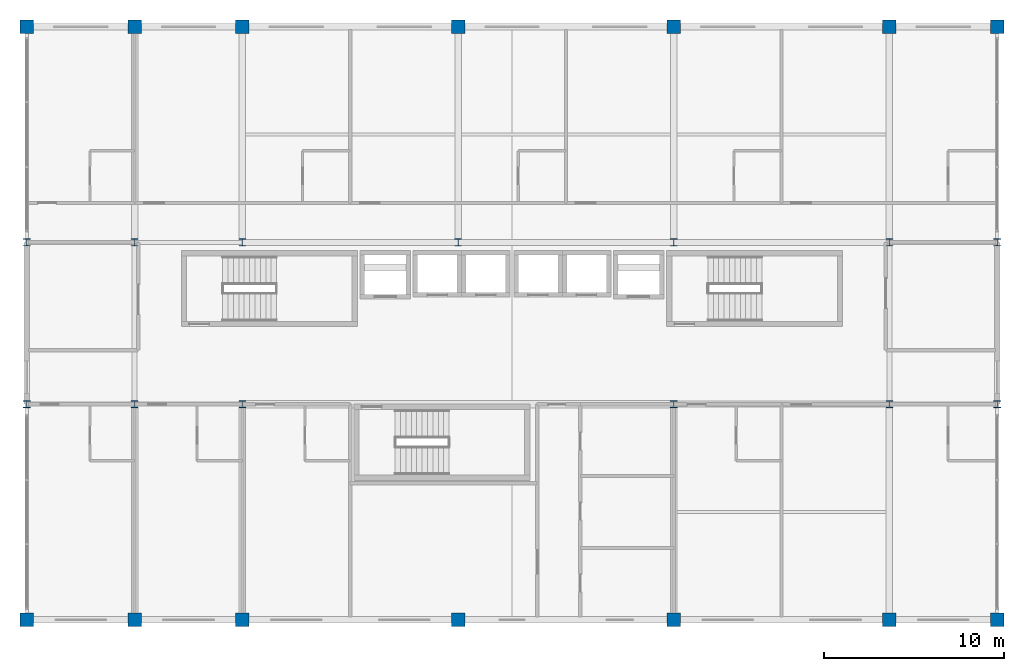
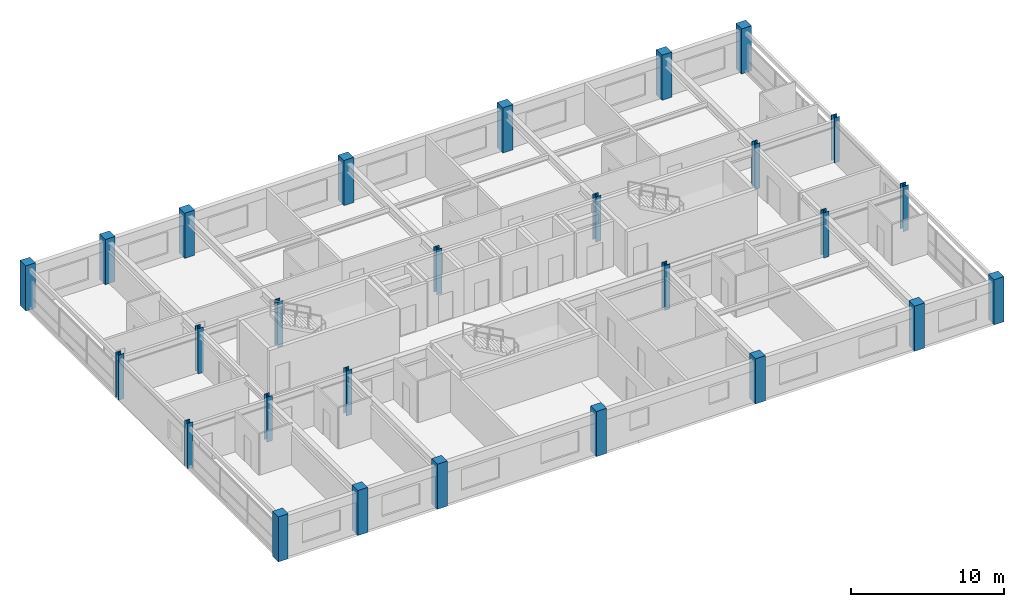
# One storey, part 1 of 20: 27 columns.
"""IFC4 building model written with IfcOpenShell, lengths in metres."""

from ifc_helpers import new_model, si_unit, direction, frame, origin, origin_2d, place, context, subcontext, project, spatial, rectangle, i_section, extrude, material, material_profile, profile_set, type_object, element, save


model = new_model("IFC4")

# Units and contexts
model_context = context("Model", 3, precision=1e-05, world=origin(), true_north=direction((0.0, 1.0)))
body_context = subcontext(model_context, "Body", "Model", "MODEL_VIEW")
ifc_project = project(units=[si_unit("LENGTHUNIT", "METRE"), si_unit("AREAUNIT", "SQUARE_METRE"), si_unit("VOLUMEUNIT", "CUBIC_METRE"), si_unit("PLANEANGLEUNIT", "RADIAN"), si_unit("MASSUNIT", "GRAM", prefix="KILO")], contexts=[model_context])

# Site, building, storey
site_placement = place(None, origin())
site = spatial("IfcSite", under=ifc_project, at=site_placement, CompositionType="ELEMENT")
building_placement = place(site_placement, origin())
building = spatial("IfcBuilding", under=site, at=building_placement, Name="Kaldorvane Square Convention Centre", CompositionType="ELEMENT")
storey_placement = place(building_placement, frame((0.0, 0.0, 52.80000305175781)))
storey = spatial("IfcBuildingStorey", under=building, at=storey_placement, Name="L12", CompositionType="ELEMENT", Elevation=52.80000305175781)

# Columns
ifc_material_1 = material(Name="Concrete f'c = 42 MPa (Normalweight)", Category="concrete")
ifc_material_profile_1 = material_profile(ifc_material_1, rectangle(XDim=0.75, YDim=0.75, at=origin_2d()), Name="RC750X750")
ifc_profile_set_1 = profile_set([ifc_material_profile_1], Name="Concrete f'c = 42 MPa (Normalweight)")
column_type_1 = type_object("IfcColumnType", Name="COL-RC-750", PredefinedType="COLUMN", material=ifc_profile_set_1)
for number, where, z_axis, x_axis, name in (
    (1, (30.0, 84.0, 0.0), (0.0, 0.0, 1.0), (1.0, 0.0, 0.0), "Column CC-05 (L12)"),
    (2, (30.0, 117.0, 0.0), (0.0, 0.0, 1.0), (1.0, 0.0, 0.0), "Column CC-05 (L12)"),
    (3, (36.0, 84.0, 0.0), (0.0, 0.0, 1.0), (1.0, 0.0, 0.0), "Column CC-05 (L12)"),
    (4, (36.0, 117.0, 0.0), (0.0, 0.0, 1.0), (1.0, 0.0, 0.0), "Column CC-05 (L12)"),
    (5, (42.0, 84.0, 0.0), (0.0, 0.0, 1.0), (1.0, 0.0, 0.0), "Column CC-05 (L12)"),
    (6, (42.0, 117.0, 0.0), (0.0, 0.0, 1.0), (1.0, 0.0, 0.0), "Column CC-05 (L12)"),
    (7, (54.0, 84.0, 0.0), (0.0, 0.0, 1.0), (1.0, 0.0, 0.0), "Column CC-05 (L12)"),
    (8, (54.0, 117.0, 0.0), (0.0, 0.0, 1.0), (1.0, 0.0, 0.0), "Column CC-05 (L12)"),
    (9, (66.0, 84.0, 0.0), (0.0, 0.0, 1.0), (1.0, 0.0, 0.0), "Column CC-05 (L12)"),
    (10, (66.0, 117.0, 0.0), (0.0, 0.0, 1.0), (1.0, 0.0, 0.0), "Column CC-05 (L12)"),
    (11, (78.0, 84.0, 0.0), (0.0, 0.0, 1.0), (1.0, 0.0, 0.0), "Column CC-05 (L12)"),
    (12, (78.0, 117.0, 0.0), (0.0, 0.0, 1.0), (1.0, 0.0, 0.0), "Column CC-05 (L12)"),
    (13, (84.0, 84.0, 0.0), (0.0, 0.0, 1.0), (1.0, 0.0, 0.0), "Column CC-05 (L12)"),
    (14, (84.0, 117.0, 0.0), (0.0, 0.0, 1.0), (1.0, 0.0, 0.0), "Column CC-05 (L12)"),
):
    element("IfcColumn", number, at=place(storey_placement, frame(where, z_axis=z_axis, x_axis=x_axis)), inside=storey, type_object=column_type_1, Name=name, PredefinedType="COLUMN", context=body_context, shape_type="SweptSolid", body=[
        extrude(rectangle(XDim=0.75, YDim=0.75, at=origin_2d()), origin(), (0.0, 0.0, 1.0), 3.5999908447265625),
    ])
ifc_material_2 = material(Name="Steel ASTM A992 Gr. 50", Category="steel")
ifc_material_profile_2 = material_profile(ifc_material_2, i_section(OverallWidth=0.4062957763671875, OverallDepth=0.416107177734375, WebThickness=0.0298004150390625, FlangeThickness=0.048004150390625, FilletRadius=0.0305023193359375, at=origin_2d()), Name="W14X257")
ifc_profile_set_2 = profile_set([ifc_material_profile_2], Name="Steel ASTM A992 Gr. 50")
column_type_2 = type_object("IfcColumnType", Name="COL-STL-257", PredefinedType="COLUMN", material=ifc_profile_set_2)
for number, where, z_axis, x_axis, name in (
    (15, (30.0, 96.0, 0.0), (0.0, 0.0, 1.0), (1.0, 0.0, 0.0), "Column SC-07 (L12)"),
    (16, (30.0, 105.0, 0.0), (0.0, 0.0, 1.0), (1.0, 0.0, 0.0), "Column SC-07 (L12)"),
    (17, (36.0, 96.0, 0.0), (0.0, 0.0, 1.0), (1.0, 0.0, 0.0), "Column SC-07 (L12)"),
    (18, (36.0, 105.0, 0.0), (0.0, 0.0, 1.0), (1.0, 0.0, 0.0), "Column SC-07 (L12)"),
    (19, (42.0, 96.0, 0.0), (0.0, 0.0, 1.0), (1.0, 0.0, 0.0), "Column SC-07 (L12)"),
    (20, (42.0, 105.0, 0.0), (0.0, 0.0, 1.0), (1.0, 0.0, 0.0), "Column SC-07 (L12)"),
    (21, (54.0, 105.0, 0.0), (0.0, 0.0, 1.0), (1.0, 0.0, 0.0), "Column SC-07 (L12)"),
    (22, (66.0, 96.0, 0.0), (0.0, 0.0, 1.0), (1.0, 0.0, 0.0), "Column SC-07 (L12)"),
    (23, (66.0, 105.0, 0.0), (0.0, 0.0, 1.0), (1.0, 0.0, 0.0), "Column SC-07 (L12)"),
    (24, (78.0, 96.0, 0.0), (0.0, 0.0, 1.0), (1.0, 0.0, 0.0), "Column SC-07 (L12)"),
    (25, (78.0, 105.0, 0.0), (0.0, 0.0, 1.0), (1.0, 0.0, 0.0), "Column SC-07 (L12)"),
    (26, (84.0, 96.0, 0.0), (0.0, 0.0, 1.0), (1.0, 0.0, 0.0), "Column SC-07 (L12)"),
    (27, (84.0, 105.0, 0.0), (0.0, 0.0, 1.0), (1.0, 0.0, 0.0), "Column SC-07 (L12)"),
):
    element("IfcColumn", number, at=place(storey_placement, frame(where, z_axis=z_axis, x_axis=x_axis)), inside=storey, type_object=column_type_2, Name=name, PredefinedType="COLUMN", context=body_context, shape_type="SweptSolid", body=[
        extrude(i_section(OverallWidth=0.4062957763671875, OverallDepth=0.416107177734375, WebThickness=0.0298004150390625, FlangeThickness=0.048004150390625, FilletRadius=0.0305023193359375, at=origin_2d()), origin(), (0.0, 0.0, 1.0), 3.5999908447265625),
    ])

save(model, "model.ifc")
